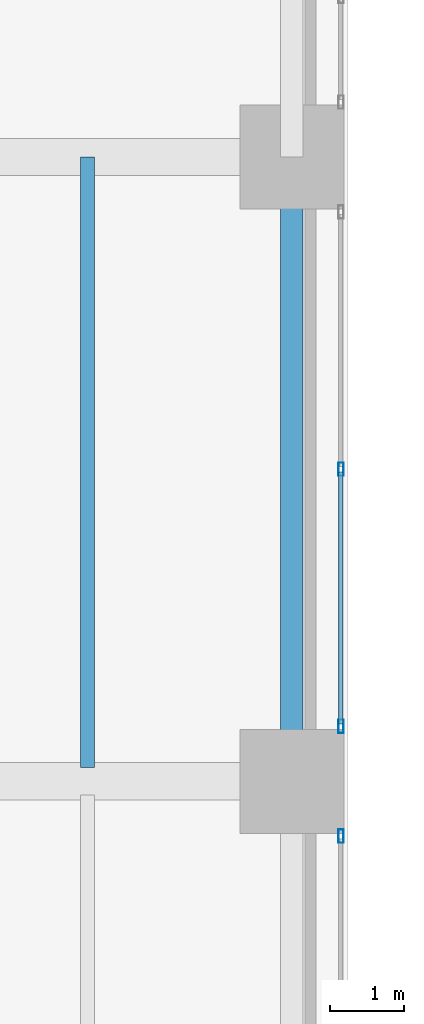
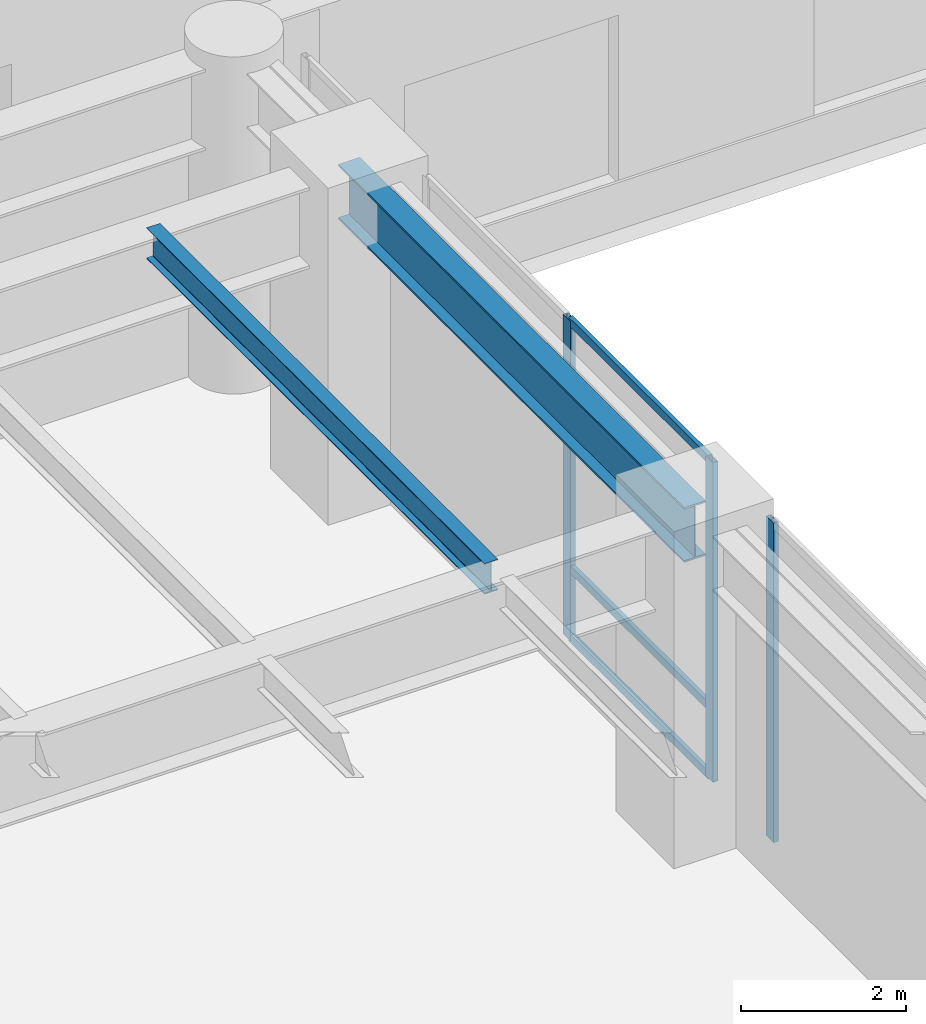
# One storey, part 6 of 24: 6 members, 2 beams, 2 elements without a shape of their own.
"""IFC4 building model written with IfcOpenShell, lengths in metres."""

from ifc_helpers import new_model, si_unit, direction, frame, origin, origin_2d, place, context, subcontext, project, spatial, hollow_rectangle, i_section, extrude, source, transform, mapped, material, layer, layer_set, material_profile, profile_set, type_object, type_shapes, element, aggregate, save


model = new_model("IFC4")

# Units and contexts
model_context = context("Model", 3, precision=1e-05, world=origin(), true_north=direction((0.0, 1.0)))
body_context = subcontext(model_context, "Body", "Model", "MODEL_VIEW")
ifc_project = project(units=[si_unit("LENGTHUNIT", "METRE"), si_unit("AREAUNIT", "SQUARE_METRE"), si_unit("VOLUMEUNIT", "CUBIC_METRE"), si_unit("PLANEANGLEUNIT", "RADIAN"), si_unit("MASSUNIT", "GRAM", prefix="KILO")], contexts=[model_context])

# Site, building, storey
site_placement = place(None, origin())
site = spatial("IfcSite", under=ifc_project, at=site_placement, CompositionType="ELEMENT")
building_placement = place(site_placement, origin())
building = spatial("IfcBuilding", under=site, at=building_placement, Name="Tolvann Quenvar Hotel", CompositionType="ELEMENT")
storey_placement = place(building_placement, frame((0.0, 0.0, 6.0)))
storey = spatial("IfcBuildingStorey", under=building, at=storey_placement, Name="L01", CompositionType="ELEMENT", Elevation=6.0)

# Beams
ifc_material_1 = material(Name="Steel Grade 350", Category="steel")
ifc_material_profile_1 = material_profile(ifc_material_1, i_section(OverallWidth=0.300048828125, OverallDepth=0.81591796875, WebThickness=0.010009765625, FlangeThickness=0.028076171875, at=origin_2d()), Name="800WB192")
ifc_profile_set_1 = profile_set([ifc_material_profile_1], Name="Steel Grade 350")
beam_type_1 = type_object("IfcBeamType", Name="BM_GIRD_800WB192", PredefinedType="BEAM", material=ifc_profile_set_1)
shared_shape_1 = source(origin(), body_context, "Body", "SweptSolid", [
    extrude(i_section(OverallWidth=0.300048828125, OverallDepth=0.81591796875, WebThickness=0.010009765625, FlangeThickness=0.028076171875, at=origin_2d()), origin(), (0.0, 0.0, 1.0), 8.39990234375),
])
type_shapes(beam_type_1, [shared_shape_1])
beam_1_placement = place(storey_placement, frame((18.75, 16.0, 4.33203125), z_axis=(0.0, 1.0, 0.0), x_axis=(-1.0, 0.0, 0.0)))
element("IfcBeam", 1, at=beam_1_placement, inside=storey, type_object=beam_type_1, Name="BM-L01-NS-APW-2", PredefinedType="BEAM", context=body_context, shape_type="MappedRepresentation", body=[
    mapped(shared_shape_1, transform((0.0, 0.0, 0.0), x_axis=(1.0, 0.0, 0.0), y_axis=(0.0, 1.0, 0.0), z_axis=(0.0, 0.0, 1.0), scale=1.0)),
])
ifc_material_profile_2 = material_profile(ifc_material_1, i_section(OverallWidth=0.18994140625, OverallDepth=0.4541015625, WebThickness=0.008544921875, FlangeThickness=0.0126953125, FilletRadius=0.011474609375, at=origin_2d()), Name="460UB67")
ifc_profile_set_2 = profile_set([ifc_material_profile_2], Name="Steel Grade 350")
beam_type_2 = type_object("IfcBeamType", Name="BM_JOIST_460UB67", PredefinedType="JOIST", material=ifc_profile_set_2)
shared_shape_2 = source(origin(), body_context, "Body", "SweptSolid", [
    extrude(i_section(OverallWidth=0.18994140625, OverallDepth=0.4541015625, WebThickness=0.008544921875, FlangeThickness=0.0126953125, FilletRadius=0.011474609375, at=origin_2d()), origin(), (0.0, 0.0, 1.0), 8.21484375),
])
type_shapes(beam_type_2, [shared_shape_2])
beam_2_placement = place(storey_placement, frame((16.0, 16.18505859375, 4.512939453125), z_axis=(0.0, 1.0, 0.0), x_axis=(-1.0, 0.0, 0.0)))
element("IfcBeam", 2, at=beam_2_placement, inside=storey, type_object=beam_type_2, Name="BJ-L01-160-160", PredefinedType="JOIST", context=body_context, shape_type="MappedRepresentation", body=[
    mapped(shared_shape_2, transform((0.0, 0.0, 0.0), x_axis=(1.0, 0.0, 0.0), y_axis=(0.0, 1.0, 0.0), z_axis=(0.0, 0.0, 1.0), scale=1.0)),
])

# Curtain wall, members
ifc_material_2 = material(Name="Thermally broken anodised architectural aluminium 6063-T6 and laminated low-E glass", Category="aluminium")
ifc_layer = layer(ifc_material_2, 0.179931640625)
ifc_layer_set = layer_set([ifc_layer], Name="Thermally broken anodised architectural aluminium 6063-T6 and laminated low-E glass")
curtain_wall_type = type_object("IfcCurtainWallType", Name="CW_SYS_ARCH_01", PredefinedType="USERDEFINED", material=ifc_layer_set)
curtain_wall_1_placement = place(storey_placement, origin())
curtain_wall_1 = element("IfcCurtainWall", 3, at=curtain_wall_1_placement, inside=storey, type_object=curtain_wall_type, Name="Curtain Wall CW-ARCH-01 (CWR-L01-E01-S4)", ObjectType="UNITISED CURTAIN WALL", PredefinedType="USERDEFINED")
ifc_material_3 = material(Name="Anodised architectural aluminium 6063-T6 framing", Category="aluminium")
ifc_material_profile_3 = material_profile(ifc_material_3, hollow_rectangle(XDim=0.06005859375, YDim=0.1201171875, WallThickness=0.00341796875, at=origin_2d()), Name="120x60x3.5RHS")
ifc_profile_set_3 = profile_set([ifc_material_profile_3], Name="Anodised architectural aluminium 6063-T6 framing")
member_type_1 = type_object("IfcMemberType", Name="CW_TRAN_120x60", PredefinedType="USERDEFINED", material=ifc_profile_set_3)
shared_shape_3 = source(origin(), body_context, "Body", "SweptSolid", [
    extrude(hollow_rectangle(XDim=0.06005859375, YDim=0.1201171875, WallThickness=0.00341796875, at=origin_2d()), origin(), (0.0, 0.0, 1.0), 3.39111328125),
])
type_shapes(member_type_1, [shared_shape_3])
member_1_placement = place(storey_placement, frame((19.409912109375, 16.77392578125, 0.030029296875), z_axis=(0.0, 1.0, 0.0), x_axis=(-1.0, 0.0, 0.0)))
member_1 = element("IfcMember", 4, at=member_1_placement, type_object=member_type_1, Name="CW-ARCH-01 transom 1.1", ObjectType="TRANSOM", PredefinedType="USERDEFINED", context=body_context, shape_type="MappedRepresentation", body=[
    mapped(shared_shape_3, transform((0.0, 0.0, 0.0), x_axis=(1.0, 0.0, 0.0), y_axis=(0.0, 1.0, 0.0), z_axis=(0.0, 0.0, 1.0), scale=1.0)),
])
member_2_placement = place(storey_placement, frame((19.409912109375, 16.77392578125, 1.050048828125), z_axis=(0.0, 1.0, 0.0), x_axis=(-1.0, 0.0, 0.0)))
member_2 = element("IfcMember", 5, at=member_2_placement, type_object=member_type_1, Name="CW-ARCH-01 transom 1.2", ObjectType="TRANSOM", PredefinedType="USERDEFINED", context=body_context, shape_type="MappedRepresentation", body=[
    mapped(shared_shape_3, transform((0.0, 0.0, 0.0), x_axis=(1.0, 0.0, 0.0), y_axis=(0.0, 1.0, 0.0), z_axis=(0.0, 0.0, 1.0), scale=1.0)),
])
member_3_placement = place(storey_placement, frame((19.409912109375, 16.77392578125, 4.7099609375), z_axis=(0.0, 1.0, 0.0), x_axis=(-1.0, 0.0, 0.0)))
member_3 = element("IfcMember", 6, at=member_3_placement, type_object=member_type_1, Name="CW-ARCH-01 transom 1.3", ObjectType="TRANSOM", PredefinedType="USERDEFINED", context=body_context, shape_type="MappedRepresentation", body=[
    mapped(shared_shape_3, transform((0.0, 0.0, 0.0), x_axis=(1.0, 0.0, 0.0), y_axis=(0.0, 1.0, 0.0), z_axis=(0.0, 0.0, 1.0), scale=1.0)),
])

# Curtain wall, member
curtain_wall_2_placement = place(storey_placement, origin())
curtain_wall_2 = element("IfcCurtainWall", 7, at=curtain_wall_2_placement, inside=storey, type_object=curtain_wall_type, Name="Curtain Wall CW-ARCH-01 (CWR-L01-E01-S3)", ObjectType="UNITISED CURTAIN WALL", PredefinedType="USERDEFINED")
ifc_material_profile_4 = material_profile(ifc_material_3, hollow_rectangle(XDim=0.070068359375, YDim=0.179931640625, WallThickness=0.00390625, at=origin_2d()), Name="180x70x4RHS")
ifc_profile_set_4 = profile_set([ifc_material_profile_4], Name="Anodised architectural aluminium 6063-T6 framing")
member_type_2 = type_object("IfcMemberType", Name="CW_MULL_180x70", PredefinedType="MULLION", material=ifc_profile_set_4)
shared_shape_4 = source(origin(), body_context, "Body", "SweptSolid", [
    extrude(hollow_rectangle(XDim=0.070068359375, YDim=0.179931640625, WallThickness=0.00390625, at=origin_2d()), origin(), (0.0, 0.0, 1.0), 4.739990234375),
])
type_shapes(member_type_2, [shared_shape_4])
member_4_placement = place(storey_placement, frame((19.409912109375, 15.260986328125, 0.0), z_axis=(0.0, 0.0, 1.0), x_axis=(-1.0, 0.0, 0.0)))
member_4 = element("IfcMember", 8, at=member_4_placement, type_object=member_type_2, Name="CW-ARCH-01 mullion 2", PredefinedType="MULLION", context=body_context, shape_type="MappedRepresentation", body=[
    mapped(shared_shape_4, transform((0.0, 0.0, 0.0), x_axis=(1.0, 0.0, 0.0), y_axis=(0.0, 1.0, 0.0), z_axis=(0.0, 0.0, 1.0), scale=1.0)),
])
aggregate(curtain_wall_2, [member_4])

# Member
member_5_placement = place(storey_placement, frame((19.409912109375, 16.739013671875, 0.0), z_axis=(0.0, 0.0, 1.0), x_axis=(-1.0, 0.0, 0.0)))
member_5 = element("IfcMember", 9, at=member_5_placement, type_object=member_type_2, Name="CW-ARCH-01 mullion 1", PredefinedType="MULLION", context=body_context, shape_type="MappedRepresentation", body=[
    mapped(shared_shape_4, transform((0.0, 0.0, 0.0), x_axis=(1.0, 0.0, 0.0), y_axis=(0.0, 1.0, 0.0), z_axis=(0.0, 0.0, 1.0), scale=1.0)),
])

member_6_placement = place(storey_placement, frame((19.409912109375, 20.199951171875, 0.0), z_axis=(0.0, 0.0, 1.0), x_axis=(-1.0, 0.0, 0.0)))
member_6 = element("IfcMember", 10, at=member_6_placement, type_object=member_type_2, Name="CW-ARCH-01 mullion 2", PredefinedType="MULLION", context=body_context, shape_type="MappedRepresentation", body=[
    mapped(shared_shape_4, transform((0.0, 0.0, 0.0), x_axis=(1.0, 0.0, 0.0), y_axis=(0.0, 1.0, 0.0), z_axis=(0.0, 0.0, 1.0), scale=1.0)),
])

aggregate(curtain_wall_1, [member_5, member_6, member_1, member_2, member_3])

save(model, "model.ifc")
